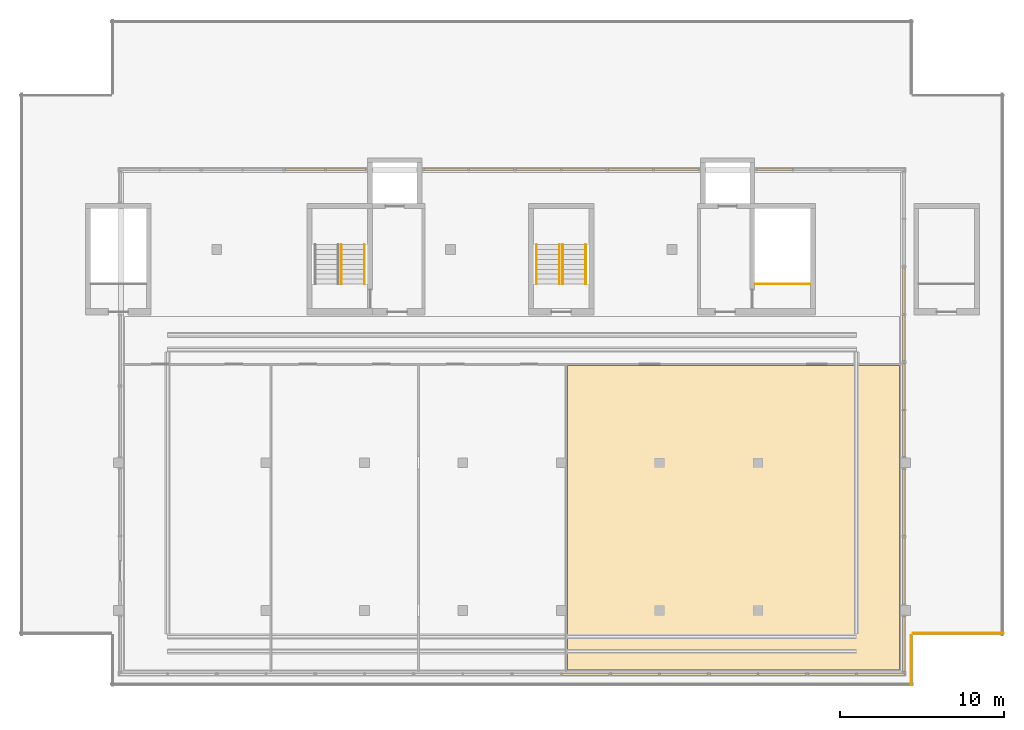
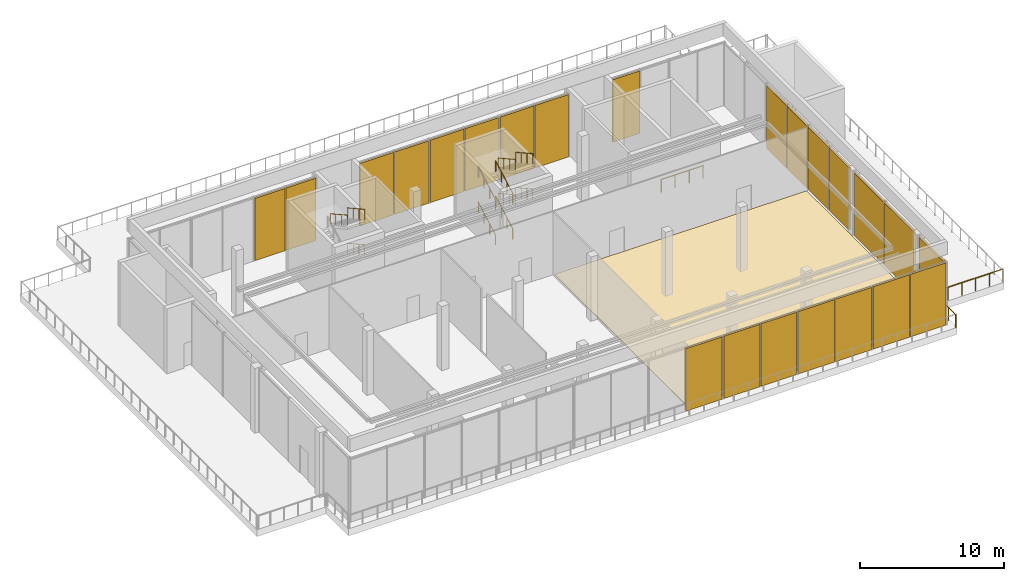
# One storey, part 10 of 11: 23 shading devices, 14 railings, 1 covering, 16 elements without a shape of their own.
"""IFC4 building model written with IfcOpenShell, lengths in metres."""

import ifcopenshell
import ifcopenshell.guid

model = None  # the IFC model being written
_history = None  # IfcOwnerHistory: only IFC2X3 demands one
_inside = {}  # id of a spatial element -> (the spatial element, [elements in it])
_under = {}  # id of a project, library or spatial element -> (it, [spatial elements below it])
_declared = {}  # id of a project -> (the project, [libraries it declares])
_typed = {}  # id of a type object -> (the type object, [elements of that type])
_made_of = {}  # id of a material, layer set ... -> (it, [elements and type objects made of it])


def new_model(schema):
    """Start an empty IFC model of exactly this schema.

    Asked for "IFC4X3", IfcOpenShell would pick the latest addendum, in which some entities
    have other attributes; the version numbers below select the first issue.
    IFC2X3 requires an IfcOwnerHistory on every rooted entity: one is made here for all.
    """
    global model, _history
    if schema == "IFC4X3":
        model = ifcopenshell.file(schema_version=(4, 3, 0, 0))
    else:
        model = ifcopenshell.file(schema=schema)
    _inside.clear()
    _under.clear()
    _declared.clear()
    _typed.clear()
    _made_of.clear()
    _history = None
    if model.schema == "IFC2X3":
        org = make("IfcOrganization", Name="unknown")
        user = make(
            "IfcPersonAndOrganization",
            ThePerson=make("IfcPerson", FamilyName="unknown"),
            TheOrganization=org,
        )
        app = make(
            "IfcApplication",
            ApplicationDeveloper=org,
            Version="unknown",
            ApplicationFullName="unknown",
            ApplicationIdentifier="unknown",
        )
        _history = make(
            "IfcOwnerHistory",
            OwningUser=user,
            OwningApplication=app,
            ChangeAction="ADDED",
            CreationDate=0,
        )
    return model


def make(cls, **values):
    """One entity of the class cls with the attributes given. An attribute that is None is left unset."""
    return model.create_entity(
        cls, **{name: value for name, value in values.items() if value is not None}
    )


def rooted(cls, **values):
    """An entity with a GlobalId (a new one), such as an element, a storey or a relation."""
    return make(cls, GlobalId=ifcopenshell.guid.new(), OwnerHistory=_history, **values)


def si_unit(unit_type, name, prefix=None):
    """IfcSIUnit, for example si_unit("LENGTHUNIT", "METRE", prefix="MILLI")."""
    return make("IfcSIUnit", UnitType=unit_type, Prefix=prefix, Name=name)


def assignment(units):
    """IfcUnitAssignment: the units of a project."""
    return None if units is None else make("IfcUnitAssignment", Units=units)


def point(xyz):
    """IfcCartesianPoint."""
    return None if xyz is None else make("IfcCartesianPoint", Coordinates=xyz)


def direction(xyz):
    """IfcDirection."""
    return None if xyz is None else make("IfcDirection", DirectionRatios=xyz)


def frame(location, z_axis=None, x_axis=None):
    """IfcAxis2Placement3D, a coordinate frame: its origin and axes. An axis left out is left unset."""
    return make(
        "IfcAxis2Placement3D",
        Location=point(location),
        Axis=direction(z_axis),
        RefDirection=direction(x_axis),
    )


def frame_2d(location, x_axis=None):
    """IfcAxis2Placement2D, a coordinate frame in the plane: its origin and x axis."""
    return make(
        "IfcAxis2Placement2D", Location=point(location), RefDirection=direction(x_axis)
    )


def origin():
    """The frame at (0, 0, 0) with its axes left unset."""
    return frame((0.0, 0.0, 0.0))


def origin_2d():
    """The frame at (0, 0) in the plane with its x axis left unset."""
    return frame_2d((0.0, 0.0))


def place(relative_to, where):
    """IfcLocalPlacement: puts the frame where relative to a parent placement (None: the world)."""
    return make(
        "IfcLocalPlacement", PlacementRelTo=relative_to, RelativePlacement=where
    )


def context(
    kind, dimensions, precision=None, world=None, true_north=None, identifier=None
):
    """IfcGeometricRepresentationContext, for example the 3D "Model" context."""
    return make(
        "IfcGeometricRepresentationContext",
        ContextIdentifier=identifier,
        ContextType=kind,
        CoordinateSpaceDimension=dimensions,
        Precision=precision,
        WorldCoordinateSystem=world,
        TrueNorth=true_north,
    )


def subcontext(parent, identifier, kind, view, scale=None):
    """IfcGeometricRepresentationSubContext, for example "Body" below "Model"."""
    return make(
        "IfcGeometricRepresentationSubContext",
        ContextIdentifier=identifier,
        ContextType=kind,
        ParentContext=parent,
        TargetScale=scale,
        TargetView=view,
    )


def project(units=None, contexts=None):
    """IfcProject with its units and contexts."""
    return rooted(
        "IfcProject",
        Name="project",
        RepresentationContexts=contexts,
        UnitsInContext=assignment(units),
    )


def spatial(cls, under=None, at=None, **own):
    """A site, building, storey or space (cls), placed at a placement, below another one or the project."""
    s = rooted(cls, ObjectPlacement=at, **own)
    if under is not None:
        _under.setdefault(under.id(), (under, []))[1].append(s)
    return s


def polyline(points):
    """IfcPolyline through the points."""
    return make("IfcPolyline", Points=[point(p) for p in points])


def profile(cls, at=None, kind="AREA", **sizes):
    """A parametric profile (cls). Its sizes go by their IFC names, for example OverallWidth=200.0."""
    return make(cls, ProfileType=kind, Position=at, **sizes)


def rectangle(**sizes):
    """IfcRectangleProfileDef."""
    return profile("IfcRectangleProfileDef", **sizes)


def circle(**sizes):
    """IfcCircleProfileDef."""
    return profile("IfcCircleProfileDef", **sizes)


def outline(outer, holes=None, kind="AREA"):
    """IfcArbitraryClosedProfileDef: a profile drawn as a closed curve; with holes, ...WithVoids."""
    if holes is None:
        return make("IfcArbitraryClosedProfileDef", ProfileType=kind, OuterCurve=outer)
    return make(
        "IfcArbitraryProfileDefWithVoids",
        ProfileType=kind,
        OuterCurve=outer,
        InnerCurves=holes,
    )


def extrude(swept, where, along, depth):
    """IfcExtrudedAreaSolid: the profile swept, set in the frame where, extruded along a direction by depth."""
    return make(
        "IfcExtrudedAreaSolid",
        SweptArea=swept,
        Position=where,
        ExtrudedDirection=direction(along),
        Depth=depth,
    )


def shape(context_of_items, identifier, shape_type, items):
    """IfcShapeRepresentation: the items that make up one representation, for example the "Body"."""
    return make(
        "IfcShapeRepresentation",
        ContextOfItems=context_of_items,
        RepresentationIdentifier=identifier,
        RepresentationType=shape_type,
        Items=items,
    )


def material(Name=None, Category=None):
    """IfcMaterial."""
    return make("IfcMaterial", Name=Name, Category=Category)


def layer(
    of_material, thickness, ventilated=None, Name=None, Category=None, Priority=None
):
    """IfcMaterialLayer: one layer of a wall or slab, of a material (None: an air gap)."""
    return make(
        "IfcMaterialLayer",
        Material=of_material,
        LayerThickness=thickness,
        IsVentilated=ventilated,
        Name=Name,
        Category=Category,
        Priority=Priority,
    )


def layer_set(layers, Name=None):
    """IfcMaterialLayerSet."""
    return make("IfcMaterialLayerSet", MaterialLayers=layers, LayerSetName=Name)


def made_of(thing, what):
    """Note that an element or type object is made of a material, layer set ...; save() writes the relation."""
    if what is not None:
        _made_of.setdefault(what.id(), (what, []))[1].append(thing)
    return thing


def type_object(cls, material=None, **own):
    """A type object (cls), such as IfcWallType, which elements share."""
    return made_of(rooted(cls, **own), material)


def element(
    cls,
    number,
    at=None,
    inside=None,
    cuts=None,
    type_object=None,
    material=None,
    context=None,
    identifier="Body",
    shape_type=None,
    held_by="IfcProductDefinitionShape",
    body=None,
    shapes=None,
    **own,
):
    """One element of the class cls, such as IfcWall. Its Tag is "e" and its number.

    at: its placement. inside: the storey or other place that contains it. cuts: it is an
    opening in that element (IfcRelVoidsElement). A single representation is given by context,
    identifier, shape_type and body (its items); several are given by shapes. held_by: the class
    of the entity that holds the representations. save() writes the other relations.
    """
    e = rooted(cls, Tag="e%d" % number, ObjectPlacement=at, **own)
    if body is not None:
        shapes = [shape(context, identifier, shape_type, body)]
    if shapes is not None:
        e.Representation = make(held_by, Representations=shapes)
    if inside is not None:
        _inside.setdefault(inside.id(), (inside, []))[1].append(e)
    if cuts is not None:
        rooted(
            "IfcRelVoidsElement", RelatingBuildingElement=cuts, RelatedOpeningElement=e
        )
    if type_object is not None:
        _typed.setdefault(type_object.id(), (type_object, []))[1].append(e)
    return made_of(e, material)


def aggregate(whole, parts):
    """IfcRelAggregates: a whole, such as a stair, and the parts it consists of."""
    return rooted("IfcRelAggregates", RelatingObject=whole, RelatedObjects=parts)


def save(model, path):
    """Write the relations noted so far, then the file.

    IfcRelAggregates (storeys below a building ...), IfcRelContainedInSpatialStructure (elements
    in a storey), IfcRelDefinesByType, IfcRelAssociatesMaterial and IfcRelDeclares: one each for
    every whole, place, type object, material and project.
    """
    for whole, parts in _under.values():
        aggregate(whole, parts)
    for where, things in _inside.values():
        rooted(
            "IfcRelContainedInSpatialStructure",
            RelatedElements=things,
            RelatingStructure=where,
        )
    for kind, things in _typed.values():
        rooted("IfcRelDefinesByType", RelatedObjects=things, RelatingType=kind)
    for what, things in _made_of.values():
        rooted("IfcRelAssociatesMaterial", RelatedObjects=things, RelatingMaterial=what)
    for by, libraries in _declared.values():
        rooted("IfcRelDeclares", RelatingContext=by, RelatedDefinitions=libraries)
    model.write(path)


model = new_model("IFC4")

# Units and contexts
model_context = context("Model", 3, precision=1e-05, world=origin(), true_north=direction((0.0, 1.0)))
body_context = subcontext(model_context, "Body", "Model", "MODEL_VIEW")
ifc_project = project(units=[si_unit("LENGTHUNIT", "METRE"), si_unit("AREAUNIT", "SQUARE_METRE"), si_unit("VOLUMEUNIT", "CUBIC_METRE"), si_unit("PLANEANGLEUNIT", "RADIAN"), si_unit("MASSUNIT", "GRAM", prefix="KILO")], contexts=[model_context])

# Site, building, storey
site_placement = place(None, origin())
site = spatial("IfcSite", under=ifc_project, at=site_placement, CompositionType="ELEMENT")
building_placement = place(site_placement, origin())
building = spatial("IfcBuilding", under=site, at=building_placement, Name="Calvaro Tower", CompositionType="ELEMENT")
storey_placement = place(building_placement, frame((0.0, 0.0, 271.949951171875)))
storey = spatial("IfcBuildingStorey", under=building, at=storey_placement, Name="L68", CompositionType="ELEMENT", Elevation=271.949951171875)

# Covering
ifc_material_1 = material(Name="Cement screed with carpet tile finish")
ifc_layer_1 = layer(ifc_material_1, 0.050048828125)
ifc_layer_set_1 = layer_set([ifc_layer_1], Name="Cement screed with carpet tile finish")
covering_type = type_object("IfcCoveringType", Name="Floor finish 50", PredefinedType="FLOORING", material=ifc_layer_set_1)
covering_placement = place(storey_placement, origin())
element("IfcCovering", 1, at=covering_placement, inside=storey, type_object=covering_type, Name="Floor finish 40.05", PredefinedType="FLOORING", context=body_context, shape_type="SweptSolid", body=[
    extrude(outline(polyline([(59.6298828125, 6.3701171875), (39.3701171875, 6.3701171875), (39.3701171875, 24.929931640625), (59.6298828125, 24.929931640625), (59.6298828125, 6.3701171875)])), origin(), (0.0, 0.0, 1.0), 0.050048828125),
])

# Railings
ifc_material_2 = material(Name="Stainless steel", Category="steel")
railing_type_1 = type_object("IfcRailingType", Name="Guard 1100", PredefinedType="GUARDRAIL", material=ifc_material_2)
railing_1_placement = place(storey_placement, frame((60.35009765625, 8.5, 0.0)))
element("IfcRailing", 2, at=railing_1_placement, inside=storey, type_object=railing_type_1, Name="Deck guard", PredefinedType="GUARDRAIL", context=body_context, shape_type="SweptSolid", body=[
    extrude(circle(Radius=0.02392578125, at=origin_2d()), frame((0.0, 0.0, 1.076171875), z_axis=(0.0, -1.0, 0.0), x_axis=(1.0, 0.0, 0.0)), (0.0, 0.0, 1.0), 3.10009765625),
    extrude(circle(Radius=0.02099609375, at=origin_2d()), frame((0.0, -0.02099609375, 0.0)), (0.0, 0.0, 1.0), 1.052001953125),
    extrude(circle(Radius=0.02099609375, at=origin_2d()), frame((0.0, -1.033447265625, 0.0)), (0.0, 0.0, 1.0), 1.052001953125),
    extrude(circle(Radius=0.02099609375, at=origin_2d()), frame((0.0, -2.066650390625, 0.0)), (0.0, 0.0, 1.0), 1.052001953125),
    extrude(circle(Radius=0.02099609375, at=origin_2d()), frame((0.0, -3.0791015625, 0.0)), (0.0, 0.0, 1.0), 1.052001953125),
])
railing_2_placement = place(storey_placement, frame((66.0, 8.60009765625, 0.0)))
element("IfcRailing", 3, at=railing_2_placement, inside=storey, type_object=railing_type_1, Name="Deck guard", PredefinedType="GUARDRAIL", context=body_context, shape_type="SweptSolid", body=[
    extrude(circle(Radius=0.02392578125, at=origin_2d()), frame((0.0, 0.0, 1.076171875), z_axis=(-1.0, 0.0, 0.0), x_axis=(0.0, -1.0, 0.0)), (0.0, 0.0, 1.0), 5.550048828125),
    extrude(circle(Radius=0.02099609375, at=origin_2d()), frame((-0.02099609375, 0.0, 0.0)), (0.0, 0.0, 1.0), 1.052001953125),
    extrude(circle(Radius=0.02099609375, at=origin_2d()), frame((-1.110107421875, 0.0, 0.0)), (0.0, 0.0, 1.0), 1.052001953125),
    extrude(circle(Radius=0.02099609375, at=origin_2d()), frame((-2.219970703125, 0.0, 0.0)), (0.0, 0.0, 1.0), 1.052001953125),
    extrude(circle(Radius=0.02099609375, at=origin_2d()), frame((-3.330078125, 0.0, 0.0)), (0.0, 0.0, 1.0), 1.052001953125),
    extrude(circle(Radius=0.02099609375, at=origin_2d()), frame((-4.43994140625, 0.0, 0.0)), (0.0, 0.0, 1.0), 1.052001953125),
    extrude(circle(Radius=0.02099609375, at=origin_2d()), frame((-5.529052734375, 0.0, 0.0)), (0.0, 0.0, 1.0), 1.052001953125),
])

# Curtain wall, shading device
ifc_material_3 = material(Name="Anodised aluminium", Category="aluminium")
curtain_wall_type = type_object("IfcCurtainWallType", Name="Louvre wall", PredefinedType="NOTDEFINED", material=ifc_material_3)
curtain_wall_1_placement = place(storey_placement, origin())
curtain_wall_1 = element("IfcCurtainWall", 4, at=curtain_wall_1_placement, inside=storey, type_object=curtain_wall_type, Name="CW8 drum louvre wall", PredefinedType="NOTDEFINED")
ifc_material_4 = material(Name="Aluminium", Category="aluminium")
ifc_layer_2 = layer(ifc_material_4, 0.14990234375)
ifc_layer_set_2 = layer_set([ifc_layer_2], Name="Aluminium")
shading_device_type = type_object("IfcShadingDeviceType", Name="Louvre panel LV 150", PredefinedType="JALOUSIE", material=ifc_layer_set_2)
shading_device_1_placement = place(storey_placement, frame((40.47998046875, 6.10009765625, 0.0), z_axis=(0.0, 0.0, 1.0), x_axis=(1.0, 0.0, 0.0)))
shading_device_1 = element("IfcShadingDevice", 5, at=shading_device_1_placement, type_object=shading_device_type, Name="CW8 louvre panel 2.1", PredefinedType="JALOUSIE", context=body_context, shape_type="SweptSolid", body=[
    extrude(rectangle(XDim=2.8798828125, YDim=0.14990234375, at=origin_2d()), origin(), (0.0, 0.0, 1.0), 5.300048828125),
])
aggregate(curtain_wall_1, [shading_device_1])

# Curtain wall, shading devices
curtain_wall_2_placement = place(storey_placement, origin())
curtain_wall_2 = element("IfcCurtainWall", 6, at=curtain_wall_2_placement, inside=storey, type_object=curtain_wall_type, Name="CW8 drum louvre wall", PredefinedType="NOTDEFINED")
shading_device_2_placement = place(storey_placement, frame((43.52001953125, 6.10009765625, 0.0), z_axis=(0.0, 0.0, 1.0), x_axis=(1.0, 0.0, 0.0)))
shading_device_2 = element("IfcShadingDevice", 7, at=shading_device_2_placement, type_object=shading_device_type, Name="CW8 louvre panel 1.1", PredefinedType="JALOUSIE", context=body_context, shape_type="SweptSolid", body=[
    extrude(rectangle(XDim=2.8798828125, YDim=0.14990234375, at=origin_2d()), origin(), (0.0, 0.0, 1.0), 5.300048828125),
])
shading_device_3_placement = place(storey_placement, frame((46.47998046875, 6.10009765625, 0.0), z_axis=(0.0, 0.0, 1.0), x_axis=(1.0, 0.0, 0.0)))
shading_device_3 = element("IfcShadingDevice", 8, at=shading_device_3_placement, type_object=shading_device_type, Name="CW8 louvre panel 2.1", PredefinedType="JALOUSIE", context=body_context, shape_type="SweptSolid", body=[
    extrude(rectangle(XDim=2.8798828125, YDim=0.14990234375, at=origin_2d()), origin(), (0.0, 0.0, 1.0), 5.300048828125),
])
aggregate(curtain_wall_2, [shading_device_2, shading_device_3])

curtain_wall_3_placement = place(storey_placement, origin())
curtain_wall_3 = element("IfcCurtainWall", 9, at=curtain_wall_3_placement, inside=storey, type_object=curtain_wall_type, Name="CW8 drum louvre wall", PredefinedType="NOTDEFINED")
shading_device_4_placement = place(storey_placement, frame((49.52001953125, 6.10009765625, 0.0), z_axis=(0.0, 0.0, 1.0), x_axis=(1.0, 0.0, 0.0)))
shading_device_4 = element("IfcShadingDevice", 10, at=shading_device_4_placement, type_object=shading_device_type, Name="CW8 louvre panel 1.1", PredefinedType="JALOUSIE", context=body_context, shape_type="SweptSolid", body=[
    extrude(rectangle(XDim=2.8798828125, YDim=0.14990234375, at=origin_2d()), origin(), (0.0, 0.0, 1.0), 5.300048828125),
])
shading_device_5_placement = place(storey_placement, frame((52.47998046875, 6.10009765625, 0.0), z_axis=(0.0, 0.0, 1.0), x_axis=(1.0, 0.0, 0.0)))
shading_device_5 = element("IfcShadingDevice", 11, at=shading_device_5_placement, type_object=shading_device_type, Name="CW8 louvre panel 2.1", PredefinedType="JALOUSIE", context=body_context, shape_type="SweptSolid", body=[
    extrude(rectangle(XDim=2.8798828125, YDim=0.14990234375, at=origin_2d()), origin(), (0.0, 0.0, 1.0), 5.300048828125),
])
aggregate(curtain_wall_3, [shading_device_4, shading_device_5])

curtain_wall_4_placement = place(storey_placement, origin())
curtain_wall_4 = element("IfcCurtainWall", 12, at=curtain_wall_4_placement, inside=storey, type_object=curtain_wall_type, Name="CW8 drum louvre wall", PredefinedType="NOTDEFINED")
shading_device_6_placement = place(storey_placement, frame((55.52001953125, 6.10009765625, 0.0), z_axis=(0.0, 0.0, 1.0), x_axis=(1.0, 0.0, 0.0)))
shading_device_6 = element("IfcShadingDevice", 13, at=shading_device_6_placement, type_object=shading_device_type, Name="CW8 louvre panel 1.1", PredefinedType="JALOUSIE", context=body_context, shape_type="SweptSolid", body=[
    extrude(rectangle(XDim=2.8798828125, YDim=0.14990234375, at=origin_2d()), origin(), (0.0, 0.0, 1.0), 5.300048828125),
])
shading_device_7_placement = place(storey_placement, frame((58.47998046875, 6.10009765625, 0.0), z_axis=(0.0, 0.0, 1.0), x_axis=(1.0, 0.0, 0.0)))
shading_device_7 = element("IfcShadingDevice", 14, at=shading_device_7_placement, type_object=shading_device_type, Name="CW8 louvre panel 2.1", PredefinedType="JALOUSIE", context=body_context, shape_type="SweptSolid", body=[
    extrude(rectangle(XDim=2.8798828125, YDim=0.14990234375, at=origin_2d()), origin(), (0.0, 0.0, 1.0), 5.300048828125),
])
aggregate(curtain_wall_4, [shading_device_6, shading_device_7])

curtain_wall_5_placement = place(storey_placement, origin())
curtain_wall_5 = element("IfcCurtainWall", 15, at=curtain_wall_5_placement, inside=storey, type_object=curtain_wall_type, Name="CW8 drum louvre wall", PredefinedType="NOTDEFINED")
shading_device_8_placement = place(storey_placement, frame((23.382568359375, 36.89990234375, 0.0), z_axis=(0.0, 0.0, 1.0), x_axis=(1.0, 0.0, 0.0)))
shading_device_8 = element("IfcShadingDevice", 16, at=shading_device_8_placement, type_object=shading_device_type, Name="CW8 louvre panel 1.1", PredefinedType="JALOUSIE", context=body_context, shape_type="SweptSolid", body=[
    extrude(rectangle(XDim=2.405029296875, YDim=0.14990234375, at=origin_2d()), origin(), (0.0, 0.0, 1.0), 5.300048828125),
])
shading_device_9_placement = place(storey_placement, frame((25.867431640625, 36.89990234375, 0.0), z_axis=(0.0, 0.0, 1.0), x_axis=(1.0, 0.0, 0.0)))
shading_device_9 = element("IfcShadingDevice", 17, at=shading_device_9_placement, type_object=shading_device_type, Name="CW8 louvre panel 2.1", PredefinedType="JALOUSIE", context=body_context, shape_type="SweptSolid", body=[
    extrude(rectangle(XDim=2.405029296875, YDim=0.14990234375, at=origin_2d()), origin(), (0.0, 0.0, 1.0), 5.300048828125),
])
aggregate(curtain_wall_5, [shading_device_8, shading_device_9])

curtain_wall_6_placement = place(storey_placement, origin())
curtain_wall_6 = element("IfcCurtainWall", 18, at=curtain_wall_6_placement, inside=storey, type_object=curtain_wall_type, Name="CW8 drum louvre wall", PredefinedType="NOTDEFINED")
shading_device_10_placement = place(storey_placement, frame((31.978271484375, 36.89990234375, 0.0), z_axis=(0.0, 0.0, 1.0), x_axis=(1.0, 0.0, 0.0)))
shading_device_10 = element("IfcShadingDevice", 19, at=shading_device_10_placement, type_object=shading_device_type, Name="CW8 louvre panel 1.1", PredefinedType="JALOUSIE", context=body_context, shape_type="SweptSolid", body=[
    extrude(rectangle(XDim=2.69677734375, YDim=0.14990234375, at=origin_2d()), origin(), (0.0, 0.0, 1.0), 5.300048828125),
])
shading_device_11_placement = place(storey_placement, frame((34.7548828125, 36.89990234375, 0.0), z_axis=(0.0, 0.0, 1.0), x_axis=(1.0, 0.0, 0.0)))
shading_device_11 = element("IfcShadingDevice", 20, at=shading_device_11_placement, type_object=shading_device_type, Name="CW8 louvre panel 2.1", PredefinedType="JALOUSIE", context=body_context, shape_type="SweptSolid", body=[
    extrude(rectangle(XDim=2.69677734375, YDim=0.14990234375, at=origin_2d()), origin(), (0.0, 0.0, 1.0), 5.300048828125),
])
aggregate(curtain_wall_6, [shading_device_10, shading_device_11])

curtain_wall_7_placement = place(storey_placement, origin())
curtain_wall_7 = element("IfcCurtainWall", 21, at=curtain_wall_7_placement, inside=storey, type_object=curtain_wall_type, Name="CW8 drum louvre wall", PredefinedType="NOTDEFINED")
shading_device_12_placement = place(storey_placement, frame((37.611572265625, 36.89990234375, 0.0), z_axis=(0.0, 0.0, 1.0), x_axis=(1.0, 0.0, 0.0)))
shading_device_12 = element("IfcShadingDevice", 22, at=shading_device_12_placement, type_object=shading_device_type, Name="CW8 louvre panel 1.1", PredefinedType="JALOUSIE", context=body_context, shape_type="SweptSolid", body=[
    extrude(rectangle(XDim=2.69677734375, YDim=0.14990234375, at=origin_2d()), origin(), (0.0, 0.0, 1.0), 5.300048828125),
])
shading_device_13_placement = place(storey_placement, frame((40.388427734375, 36.89990234375, 0.0), z_axis=(0.0, 0.0, 1.0), x_axis=(1.0, 0.0, 0.0)))
shading_device_13 = element("IfcShadingDevice", 23, at=shading_device_13_placement, type_object=shading_device_type, Name="CW8 louvre panel 2.1", PredefinedType="JALOUSIE", context=body_context, shape_type="SweptSolid", body=[
    extrude(rectangle(XDim=2.69677734375, YDim=0.14990234375, at=origin_2d()), origin(), (0.0, 0.0, 1.0), 5.300048828125),
])
aggregate(curtain_wall_7, [shading_device_12, shading_device_13])

curtain_wall_8_placement = place(storey_placement, origin())
curtain_wall_8 = element("IfcCurtainWall", 24, at=curtain_wall_8_placement, inside=storey, type_object=curtain_wall_type, Name="CW8 drum louvre wall", PredefinedType="NOTDEFINED")
shading_device_14_placement = place(storey_placement, frame((43.2451171875, 36.89990234375, 0.0), z_axis=(0.0, 0.0, 1.0), x_axis=(1.0, 0.0, 0.0)))
shading_device_14 = element("IfcShadingDevice", 25, at=shading_device_14_placement, type_object=shading_device_type, Name="CW8 louvre panel 1.1", PredefinedType="JALOUSIE", context=body_context, shape_type="SweptSolid", body=[
    extrude(rectangle(XDim=2.69677734375, YDim=0.14990234375, at=origin_2d()), origin(), (0.0, 0.0, 1.0), 5.300048828125),
])
shading_device_15_placement = place(storey_placement, frame((46.021728515625, 36.89990234375, 0.0), z_axis=(0.0, 0.0, 1.0), x_axis=(1.0, 0.0, 0.0)))
shading_device_15 = element("IfcShadingDevice", 26, at=shading_device_15_placement, type_object=shading_device_type, Name="CW8 louvre panel 2.1", PredefinedType="JALOUSIE", context=body_context, shape_type="SweptSolid", body=[
    extrude(rectangle(XDim=2.69677734375, YDim=0.14990234375, at=origin_2d()), origin(), (0.0, 0.0, 1.0), 5.300048828125),
])
aggregate(curtain_wall_8, [shading_device_14, shading_device_15])

# Curtain wall, shading device
curtain_wall_9_placement = place(storey_placement, origin())
curtain_wall_9 = element("IfcCurtainWall", 27, at=curtain_wall_9_placement, inside=storey, type_object=curtain_wall_type, Name="CW8 drum louvre wall", PredefinedType="NOTDEFINED")
shading_device_16_placement = place(storey_placement, frame((52.013671875, 36.89990234375, 0.0), z_axis=(0.0, 0.0, 1.0), x_axis=(1.0, 0.0, 0.0)))
shading_device_16 = element("IfcShadingDevice", 28, at=shading_device_16_placement, type_object=shading_device_type, Name="CW8 louvre panel 1.1", PredefinedType="JALOUSIE", context=body_context, shape_type="SweptSolid", body=[
    extrude(rectangle(XDim=2.16748046875, YDim=0.14990234375, at=origin_2d()), origin(), (0.0, 0.0, 1.0), 5.300048828125),
])
aggregate(curtain_wall_9, [shading_device_16])

curtain_wall_10_placement = place(storey_placement, origin())
curtain_wall_10 = element("IfcCurtainWall", 29, at=curtain_wall_10_placement, inside=storey, type_object=curtain_wall_type, Name="CW8 drum louvre wall", PredefinedType="NOTDEFINED")
shading_device_17_placement = place(storey_placement, frame((59.89990234375, 7.949951171875, 0.0), z_axis=(0.0, 0.0, 1.0), x_axis=(0.0, 1.0, 0.0)))
shading_device_17 = element("IfcShadingDevice", 30, at=shading_device_17_placement, type_object=shading_device_type, Name="CW8 louvre panel 1.1", PredefinedType="JALOUSIE", context=body_context, shape_type="SweptSolid", body=[
    extrude(rectangle(XDim=3.340087890625, YDim=0.14990234375, at=origin_2d()), origin(), (0.0, 0.0, 1.0), 5.300048828125),
])
aggregate(curtain_wall_10, [shading_device_17])

curtain_wall_11_placement = place(storey_placement, origin())
curtain_wall_11 = element("IfcCurtainWall", 31, at=curtain_wall_11_placement, inside=storey, type_object=curtain_wall_type, Name="CW8 drum louvre wall", PredefinedType="NOTDEFINED")
shading_device_18_placement = place(storey_placement, frame((59.89990234375, 12.39990234375, 0.0), z_axis=(0.0, 0.0, 1.0), x_axis=(0.0, 1.0, 0.0)))
shading_device_18 = element("IfcShadingDevice", 32, at=shading_device_18_placement, type_object=shading_device_type, Name="CW8 louvre panel 1.1", PredefinedType="JALOUSIE", context=body_context, shape_type="SweptSolid", body=[
    extrude(rectangle(XDim=4.0400390625, YDim=0.14990234375, at=origin_2d()), origin(), (0.0, 0.0, 1.0), 5.300048828125),
])
aggregate(curtain_wall_11, [shading_device_18])

curtain_wall_12_placement = place(storey_placement, origin())
curtain_wall_12 = element("IfcCurtainWall", 33, at=curtain_wall_12_placement, inside=storey, type_object=curtain_wall_type, Name="CW8 drum louvre wall", PredefinedType="NOTDEFINED")
shading_device_19_placement = place(storey_placement, frame((59.89990234375, 16.60009765625, 0.0), z_axis=(0.0, 0.0, 1.0), x_axis=(0.0, 1.0, 0.0)))
shading_device_19 = element("IfcShadingDevice", 34, at=shading_device_19_placement, type_object=shading_device_type, Name="CW8 louvre panel 1.1", PredefinedType="JALOUSIE", context=body_context, shape_type="SweptSolid", body=[
    extrude(rectangle(XDim=4.0400390625, YDim=0.14990234375, at=origin_2d()), origin(), (0.0, 0.0, 1.0), 5.300048828125),
])
aggregate(curtain_wall_12, [shading_device_19])

# Curtain wall, shading devices
curtain_wall_13_placement = place(storey_placement, origin())
curtain_wall_13 = element("IfcCurtainWall", 35, at=curtain_wall_13_placement, inside=storey, type_object=curtain_wall_type, Name="CW8 drum louvre wall", PredefinedType="NOTDEFINED")
shading_device_20_placement = place(storey_placement, frame((59.89990234375, 20.7783203125, 0.0), z_axis=(0.0, 0.0, 1.0), x_axis=(0.0, 1.0, 0.0)))
shading_device_20 = element("IfcShadingDevice", 36, at=shading_device_20_placement, type_object=shading_device_type, Name="CW8 louvre panel 1.1", PredefinedType="JALOUSIE", context=body_context, shape_type="SweptSolid", body=[
    extrude(rectangle(XDim=2.796630859375, YDim=0.14990234375, at=origin_2d()), origin(), (0.0, 0.0, 1.0), 5.300048828125),
])
shading_device_21_placement = place(storey_placement, frame((59.89990234375, 23.655029296875, 0.0), z_axis=(0.0, 0.0, 1.0), x_axis=(0.0, 1.0, 0.0)))
shading_device_21 = element("IfcShadingDevice", 37, at=shading_device_21_placement, type_object=shading_device_type, Name="CW8 louvre panel 2.1", PredefinedType="JALOUSIE", context=body_context, shape_type="SweptSolid", body=[
    extrude(rectangle(XDim=2.796630859375, YDim=0.14990234375, at=origin_2d()), origin(), (0.0, 0.0, 1.0), 5.300048828125),
])
aggregate(curtain_wall_13, [shading_device_20, shading_device_21])

curtain_wall_14_placement = place(storey_placement, origin())
curtain_wall_14 = element("IfcCurtainWall", 38, at=curtain_wall_14_placement, inside=storey, type_object=curtain_wall_type, Name="CW8 drum louvre wall", PredefinedType="NOTDEFINED")
shading_device_22_placement = place(storey_placement, frame((59.89990234375, 26.611572265625, 0.0), z_axis=(0.0, 0.0, 1.0), x_axis=(0.0, 1.0, 0.0)))
shading_device_22 = element("IfcShadingDevice", 39, at=shading_device_22_placement, type_object=shading_device_type, Name="CW8 louvre panel 1.1", PredefinedType="JALOUSIE", context=body_context, shape_type="SweptSolid", body=[
    extrude(rectangle(XDim=2.796630859375, YDim=0.14990234375, at=origin_2d()), origin(), (0.0, 0.0, 1.0), 5.300048828125),
])
shading_device_23_placement = place(storey_placement, frame((59.89990234375, 29.48828125, 0.0), z_axis=(0.0, 0.0, 1.0), x_axis=(0.0, 1.0, 0.0)))
shading_device_23 = element("IfcShadingDevice", 40, at=shading_device_23_placement, type_object=shading_device_type, Name="CW8 louvre panel 2.1", PredefinedType="JALOUSIE", context=body_context, shape_type="SweptSolid", body=[
    extrude(rectangle(XDim=2.796630859375, YDim=0.14990234375, at=origin_2d()), origin(), (0.0, 0.0, 1.0), 5.300048828125),
])
aggregate(curtain_wall_14, [shading_device_22, shading_device_23])

# Stair, railings
ifc_material_5 = material(Name="Concrete C40/50", Category="concrete")
stair_type = type_object("IfcStairType", Name="Exit stair 1400 4 flights", PredefinedType="DOUBLE_RETURN_STAIR", material=ifc_material_5)
stair_1_placement = place(storey_placement, origin())
stair_1 = element("IfcStair", 41, at=stair_1_placement, inside=storey, type_object=stair_type, Name="Exit stair S2", PredefinedType="DOUBLE_RETURN_STAIR")
ifc_material_6 = material(Name="Stainless steel", Category="steel")
railing_type_2 = type_object("IfcRailingType", Name="Stair handrail", PredefinedType="HANDRAIL", material=ifc_material_6)
railing_3_placement = place(storey_placement, frame((27.0, 32.300048828125, 1.666748046875)))
railing_3 = element("IfcRailing", 42, at=railing_3_placement, type_object=railing_type_2, Name="Exit stair 2 handrail", PredefinedType="HANDRAIL", context=body_context, shape_type="SweptSolid", body=[
    extrude(circle(Radius=0.02392578125, at=origin_2d()), frame((0.0, 0.0, 0.8759765625), z_axis=(0.0, -0.874182441271, 0.485597631145), x_axis=(1.0, 0.0, 0.0)), (0.0, 0.0, 1.0), 2.74560546875),
    extrude(circle(Radius=0.02099609375, at=origin_2d()), frame((0.0, -0.018310546875, 0.01025390625)), (0.0, 0.0, 1.0), 0.851806640625),
    extrude(circle(Radius=0.02099609375, at=origin_2d()), frame((0.0, -0.800048828125, 0.4443359375)), (0.0, 0.0, 1.0), 0.851806640625),
    extrude(circle(Radius=0.02099609375, at=origin_2d()), frame((0.0, -1.60009765625, 0.888916015625)), (0.0, 0.0, 1.0), 0.851806640625),
    extrude(circle(Radius=0.02099609375, at=origin_2d()), frame((0.0, -2.3818359375, 1.322998046875)), (0.0, 0.0, 1.0), 0.851806640625),
])
railing_4_placement = place(storey_placement, frame((25.60009765625, 32.300048828125, 4.666748046875)))
railing_4 = element("IfcRailing", 43, at=railing_4_placement, type_object=railing_type_2, Name="Exit stair 2 handrail", PredefinedType="HANDRAIL", context=body_context, shape_type="SweptSolid", body=[
    extrude(circle(Radius=0.02392578125, at=origin_2d()), frame((0.0, 0.0, 0.8759765625), z_axis=(0.0, -0.874182441271, 0.485597631145), x_axis=(1.0, 0.0, 0.0)), (0.0, 0.0, 1.0), 2.74560546875),
    extrude(circle(Radius=0.02099609375, at=origin_2d()), frame((0.0, -0.018310546875, 0.01025390625)), (0.0, 0.0, 1.0), 0.851806640625),
    extrude(circle(Radius=0.02099609375, at=origin_2d()), frame((0.0, -0.800048828125, 0.4443359375)), (0.0, 0.0, 1.0), 0.851806640625),
    extrude(circle(Radius=0.02099609375, at=origin_2d()), frame((0.0, -1.60009765625, 0.888916015625)), (0.0, 0.0, 1.0), 0.851806640625),
    extrude(circle(Radius=0.02099609375, at=origin_2d()), frame((0.0, -2.3818359375, 1.322998046875)), (0.0, 0.0, 1.0), 0.851806640625),
])
railing_5_placement = place(storey_placement, frame((27.0, 32.300048828125, 4.666748046875)))
railing_5 = element("IfcRailing", 44, at=railing_5_placement, type_object=railing_type_2, Name="Exit stair 2 handrail", PredefinedType="HANDRAIL", context=body_context, shape_type="SweptSolid", body=[
    extrude(circle(Radius=0.02392578125, at=origin_2d()), frame((0.0, 0.0, 0.8759765625), z_axis=(0.0, -0.874182441271, 0.485597631145), x_axis=(1.0, 0.0, 0.0)), (0.0, 0.0, 1.0), 2.74560546875),
    extrude(circle(Radius=0.02099609375, at=origin_2d()), frame((0.0, -0.018310546875, 0.01025390625)), (0.0, 0.0, 1.0), 0.851806640625),
    extrude(circle(Radius=0.02099609375, at=origin_2d()), frame((0.0, -0.800048828125, 0.4443359375)), (0.0, 0.0, 1.0), 0.851806640625),
    extrude(circle(Radius=0.02099609375, at=origin_2d()), frame((0.0, -1.60009765625, 0.888916015625)), (0.0, 0.0, 1.0), 0.851806640625),
    extrude(circle(Radius=0.02099609375, at=origin_2d()), frame((0.0, -2.3818359375, 1.322998046875)), (0.0, 0.0, 1.0), 0.851806640625),
])
aggregate(stair_1, [railing_3, railing_4, railing_5])

stair_2_placement = place(storey_placement, origin())
stair_2 = element("IfcStair", 45, at=stair_2_placement, inside=storey, type_object=stair_type, Name="Exit stair S3", PredefinedType="DOUBLE_RETURN_STAIR")
railing_6_placement = place(storey_placement, frame((38.89990234375, 29.89990234375, 0.166748046875)))
railing_6 = element("IfcRailing", 46, at=railing_6_placement, type_object=railing_type_2, Name="Exit stair 3 handrail", PredefinedType="HANDRAIL", context=body_context, shape_type="SweptSolid", body=[
    extrude(circle(Radius=0.02392578125, at=origin_2d()), frame((0.0, 0.0, 0.8759765625), z_axis=(0.0, 0.874182441271, 0.485597631145), x_axis=(-1.0, 0.0, 0.0)), (0.0, 0.0, 1.0), 2.74560546875),
    extrude(circle(Radius=0.02099609375, at=origin_2d()), frame((0.0, 0.018310546875, 0.01025390625)), (0.0, 0.0, 1.0), 0.851806640625),
    extrude(circle(Radius=0.02099609375, at=origin_2d()), frame((0.0, 0.800048828125, 0.4443359375)), (0.0, 0.0, 1.0), 0.851806640625),
    extrude(circle(Radius=0.02099609375, at=origin_2d()), frame((0.0, 1.60009765625, 0.888916015625)), (0.0, 0.0, 1.0), 0.851806640625),
    extrude(circle(Radius=0.02099609375, at=origin_2d()), frame((0.0, 2.3818359375, 1.322998046875)), (0.0, 0.0, 1.0), 0.851806640625),
])
railing_7_placement = place(storey_placement, frame((37.5, 29.89990234375, 0.166748046875)))
railing_7 = element("IfcRailing", 47, at=railing_7_placement, type_object=railing_type_2, Name="Exit stair 3 handrail", PredefinedType="HANDRAIL", context=body_context, shape_type="SweptSolid", body=[
    extrude(circle(Radius=0.02392578125, at=origin_2d()), frame((0.0, 0.0, 0.8759765625), z_axis=(0.0, 0.874182441271, 0.485597631145), x_axis=(-1.0, 0.0, 0.0)), (0.0, 0.0, 1.0), 2.74560546875),
    extrude(circle(Radius=0.02099609375, at=origin_2d()), frame((0.0, 0.018310546875, 0.01025390625)), (0.0, 0.0, 1.0), 0.851806640625),
    extrude(circle(Radius=0.02099609375, at=origin_2d()), frame((0.0, 0.800048828125, 0.4443359375)), (0.0, 0.0, 1.0), 0.851806640625),
    extrude(circle(Radius=0.02099609375, at=origin_2d()), frame((0.0, 1.60009765625, 0.888916015625)), (0.0, 0.0, 1.0), 0.851806640625),
    extrude(circle(Radius=0.02099609375, at=origin_2d()), frame((0.0, 2.3818359375, 1.322998046875)), (0.0, 0.0, 1.0), 0.851806640625),
])
railing_8_placement = place(storey_placement, frame((39.10009765625, 32.300048828125, 1.666748046875)))
railing_8 = element("IfcRailing", 48, at=railing_8_placement, type_object=railing_type_2, Name="Exit stair 3 handrail", PredefinedType="HANDRAIL", context=body_context, shape_type="SweptSolid", body=[
    extrude(circle(Radius=0.02392578125, at=origin_2d()), frame((0.0, 0.0, 0.8759765625), z_axis=(0.0, -0.874182441271, 0.485597631145), x_axis=(1.0, 0.0, 0.0)), (0.0, 0.0, 1.0), 2.74560546875),
    extrude(circle(Radius=0.02099609375, at=origin_2d()), frame((0.0, -0.018310546875, 0.01025390625)), (0.0, 0.0, 1.0), 0.851806640625),
    extrude(circle(Radius=0.02099609375, at=origin_2d()), frame((0.0, -0.800048828125, 0.4443359375)), (0.0, 0.0, 1.0), 0.851806640625),
    extrude(circle(Radius=0.02099609375, at=origin_2d()), frame((0.0, -1.60009765625, 0.888916015625)), (0.0, 0.0, 1.0), 0.851806640625),
    extrude(circle(Radius=0.02099609375, at=origin_2d()), frame((0.0, -2.3818359375, 1.322998046875)), (0.0, 0.0, 1.0), 0.851806640625),
])
railing_9_placement = place(storey_placement, frame((40.5, 32.300048828125, 1.666748046875)))
railing_9 = element("IfcRailing", 49, at=railing_9_placement, type_object=railing_type_2, Name="Exit stair 3 handrail", PredefinedType="HANDRAIL", context=body_context, shape_type="SweptSolid", body=[
    extrude(circle(Radius=0.02392578125, at=origin_2d()), frame((0.0, 0.0, 0.8759765625), z_axis=(0.0, -0.874182441271, 0.485597631145), x_axis=(1.0, 0.0, 0.0)), (0.0, 0.0, 1.0), 2.74560546875),
    extrude(circle(Radius=0.02099609375, at=origin_2d()), frame((0.0, -0.018310546875, 0.01025390625)), (0.0, 0.0, 1.0), 0.851806640625),
    extrude(circle(Radius=0.02099609375, at=origin_2d()), frame((0.0, -0.800048828125, 0.4443359375)), (0.0, 0.0, 1.0), 0.851806640625),
    extrude(circle(Radius=0.02099609375, at=origin_2d()), frame((0.0, -1.60009765625, 0.888916015625)), (0.0, 0.0, 1.0), 0.851806640625),
    extrude(circle(Radius=0.02099609375, at=origin_2d()), frame((0.0, -2.3818359375, 1.322998046875)), (0.0, 0.0, 1.0), 0.851806640625),
])
railing_10_placement = place(storey_placement, frame((38.89990234375, 29.89990234375, 3.166748046875)))
railing_10 = element("IfcRailing", 50, at=railing_10_placement, type_object=railing_type_2, Name="Exit stair 3 handrail", PredefinedType="HANDRAIL", context=body_context, shape_type="SweptSolid", body=[
    extrude(circle(Radius=0.02392578125, at=origin_2d()), frame((0.0, 0.0, 0.8759765625), z_axis=(0.0, 0.874182441271, 0.485597631145), x_axis=(-1.0, 0.0, 0.0)), (0.0, 0.0, 1.0), 2.74560546875),
    extrude(circle(Radius=0.02099609375, at=origin_2d()), frame((0.0, 0.018310546875, 0.01025390625)), (0.0, 0.0, 1.0), 0.851806640625),
    extrude(circle(Radius=0.02099609375, at=origin_2d()), frame((0.0, 0.800048828125, 0.4443359375)), (0.0, 0.0, 1.0), 0.851806640625),
    extrude(circle(Radius=0.02099609375, at=origin_2d()), frame((0.0, 1.60009765625, 0.888916015625)), (0.0, 0.0, 1.0), 0.851806640625),
    extrude(circle(Radius=0.02099609375, at=origin_2d()), frame((0.0, 2.3818359375, 1.322998046875)), (0.0, 0.0, 1.0), 0.851806640625),
])
railing_11_placement = place(storey_placement, frame((37.5, 29.89990234375, 3.166748046875)))
railing_11 = element("IfcRailing", 51, at=railing_11_placement, type_object=railing_type_2, Name="Exit stair 3 handrail", PredefinedType="HANDRAIL", context=body_context, shape_type="SweptSolid", body=[
    extrude(circle(Radius=0.02392578125, at=origin_2d()), frame((0.0, 0.0, 0.8759765625), z_axis=(0.0, 0.874182441271, 0.485597631145), x_axis=(-1.0, 0.0, 0.0)), (0.0, 0.0, 1.0), 2.74560546875),
    extrude(circle(Radius=0.02099609375, at=origin_2d()), frame((0.0, 0.018310546875, 0.01025390625)), (0.0, 0.0, 1.0), 0.851806640625),
    extrude(circle(Radius=0.02099609375, at=origin_2d()), frame((0.0, 0.800048828125, 0.4443359375)), (0.0, 0.0, 1.0), 0.851806640625),
    extrude(circle(Radius=0.02099609375, at=origin_2d()), frame((0.0, 1.60009765625, 0.888916015625)), (0.0, 0.0, 1.0), 0.851806640625),
    extrude(circle(Radius=0.02099609375, at=origin_2d()), frame((0.0, 2.3818359375, 1.322998046875)), (0.0, 0.0, 1.0), 0.851806640625),
])
railing_12_placement = place(storey_placement, frame((39.10009765625, 32.300048828125, 4.666748046875)))
railing_12 = element("IfcRailing", 52, at=railing_12_placement, type_object=railing_type_2, Name="Exit stair 3 handrail", PredefinedType="HANDRAIL", context=body_context, shape_type="SweptSolid", body=[
    extrude(circle(Radius=0.02392578125, at=origin_2d()), frame((0.0, 0.0, 0.8759765625), z_axis=(0.0, -0.874182441271, 0.485597631145), x_axis=(1.0, 0.0, 0.0)), (0.0, 0.0, 1.0), 2.74560546875),
    extrude(circle(Radius=0.02099609375, at=origin_2d()), frame((0.0, -0.018310546875, 0.01025390625)), (0.0, 0.0, 1.0), 0.851806640625),
    extrude(circle(Radius=0.02099609375, at=origin_2d()), frame((0.0, -0.800048828125, 0.4443359375)), (0.0, 0.0, 1.0), 0.851806640625),
    extrude(circle(Radius=0.02099609375, at=origin_2d()), frame((0.0, -1.60009765625, 0.888916015625)), (0.0, 0.0, 1.0), 0.851806640625),
    extrude(circle(Radius=0.02099609375, at=origin_2d()), frame((0.0, -2.3818359375, 1.322998046875)), (0.0, 0.0, 1.0), 0.851806640625),
])
railing_13_placement = place(storey_placement, frame((40.5, 32.300048828125, 4.666748046875)))
railing_13 = element("IfcRailing", 53, at=railing_13_placement, type_object=railing_type_2, Name="Exit stair 3 handrail", PredefinedType="HANDRAIL", context=body_context, shape_type="SweptSolid", body=[
    extrude(circle(Radius=0.02392578125, at=origin_2d()), frame((0.0, 0.0, 0.8759765625), z_axis=(0.0, -0.874182441271, 0.485597631145), x_axis=(1.0, 0.0, 0.0)), (0.0, 0.0, 1.0), 2.74560546875),
    extrude(circle(Radius=0.02099609375, at=origin_2d()), frame((0.0, -0.018310546875, 0.01025390625)), (0.0, 0.0, 1.0), 0.851806640625),
    extrude(circle(Radius=0.02099609375, at=origin_2d()), frame((0.0, -0.800048828125, 0.4443359375)), (0.0, 0.0, 1.0), 0.851806640625),
    extrude(circle(Radius=0.02099609375, at=origin_2d()), frame((0.0, -1.60009765625, 0.888916015625)), (0.0, 0.0, 1.0), 0.851806640625),
    extrude(circle(Radius=0.02099609375, at=origin_2d()), frame((0.0, -2.3818359375, 1.322998046875)), (0.0, 0.0, 1.0), 0.851806640625),
])
aggregate(stair_2, [railing_6, railing_7, railing_8, railing_9, railing_10, railing_11, railing_12, railing_13])

# Railing
ifc_material_7 = material(Name="Stainless steel", Category="steel")
railing_type_3 = type_object("IfcRailingType", Name="Stair top guard", PredefinedType="GUARDRAIL", material=ifc_material_7)
railing_14_placement = place(storey_placement, frame((50.800048828125, 29.89990234375, 0.0)))
element("IfcRailing", 54, at=railing_14_placement, inside=storey, type_object=railing_type_3, Name="Exit stair 4 top guard", PredefinedType="GUARDRAIL", context=body_context, shape_type="SweptSolid", body=[
    extrude(circle(Radius=0.02392578125, at=origin_2d()), frame((0.0, 0.0, 1.076171875), z_axis=(1.0, 0.0, 0.0), x_axis=(0.0, 1.0, 0.0)), (0.0, 0.0, 1.0), 3.39990234375),
    extrude(circle(Radius=0.02099609375, at=origin_2d()), frame((0.02099609375, 0.0, 0.0)), (0.0, 0.0, 1.0), 1.052001953125),
    extrude(circle(Radius=0.02099609375, at=origin_2d()), frame((1.13330078125, 0.0, 0.0)), (0.0, 0.0, 1.0), 1.052001953125),
    extrude(circle(Radius=0.02099609375, at=origin_2d()), frame((2.2666015625, 0.0, 0.0)), (0.0, 0.0, 1.0), 1.052001953125),
    extrude(circle(Radius=0.02099609375, at=origin_2d()), frame((3.37890625, 0.0, 0.0)), (0.0, 0.0, 1.0), 1.052001953125),
])

save(model, "model.ifc")
